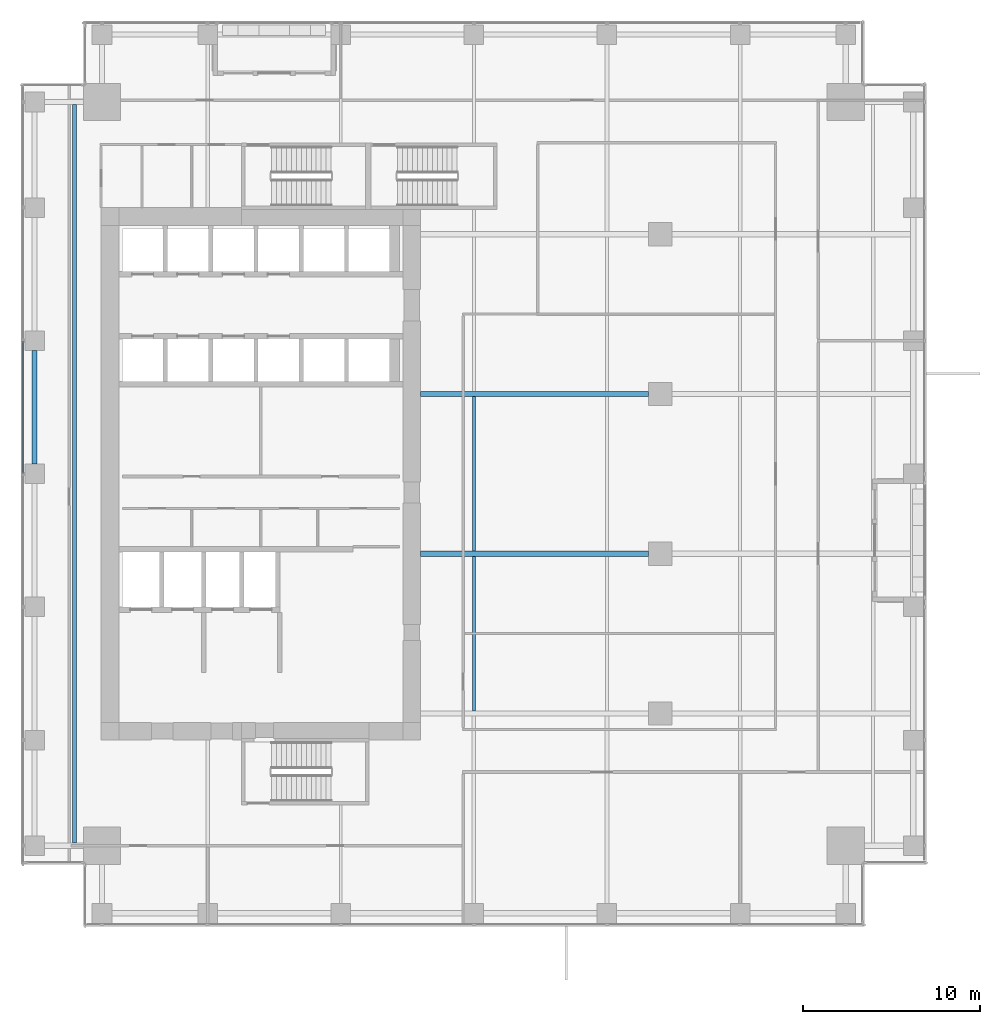
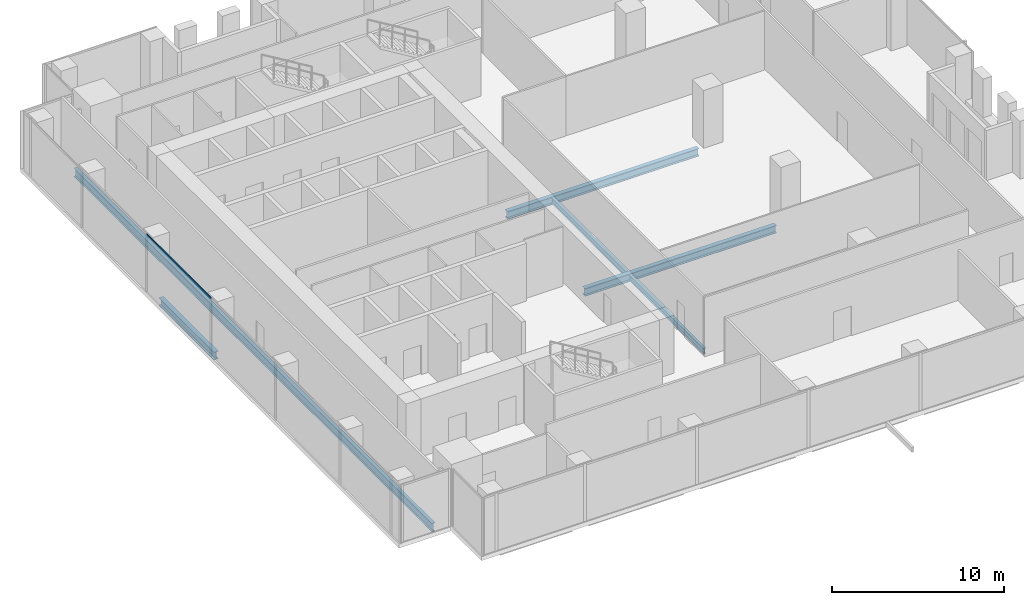
# One storey, part 8 of 34: 6 beams, 1 member, 1 element without a shape of its own.
"""IFC4 building model written with IfcOpenShell, lengths in metres."""

from ifc_helpers import new_model, si_unit, direction, frame, origin, origin_2d, place, context, subcontext, project, spatial, hollow_rectangle, i_section, extrude, source, transform, mapped, material, material_profile, profile_set, type_object, element, aggregate, save


model = new_model("IFC4")

# Units and contexts
model_context = context("Model", 3, precision=1e-05, world=origin(), true_north=direction((0.0, 1.0)))
body_context = subcontext(model_context, "Body", "Model", "MODEL_VIEW")
ifc_project = project(units=[si_unit("LENGTHUNIT", "METRE"), si_unit("AREAUNIT", "SQUARE_METRE"), si_unit("VOLUMEUNIT", "CUBIC_METRE"), si_unit("PLANEANGLEUNIT", "RADIAN"), si_unit("MASSUNIT", "GRAM", prefix="KILO")], contexts=[model_context])

# Site, building, storey
site_placement = place(None, origin())
site = spatial("IfcSite", under=ifc_project, at=site_placement, CompositionType="ELEMENT")
building_placement = place(site_placement, origin())
building = spatial("IfcBuilding", under=site, at=building_placement, Name="Khomas Fold Tower", CompositionType="ELEMENT")
storey_placement = place(building_placement, frame((0.0, 0.0, 145.5)))
storey = spatial("IfcBuildingStorey", under=building, at=storey_placement, Name="L31", CompositionType="ELEMENT", Elevation=145.5)

# Beams
ifc_material_1 = material(Name="Steel S355", Category="steel")
ifc_material_profile_1 = material_profile(ifc_material_1, i_section(OverallWidth=0.179931640625, OverallDepth=0.39990234375, WebThickness=0.008544921875, FlangeThickness=0.013427734375, at=origin_2d()), Name="IPE 400")
ifc_profile_set_1 = profile_set([ifc_material_profile_1], Name="Steel S355")
beam_type_1 = type_object("IfcBeamType", Name="IPE 400 beam JB3", PredefinedType="BEAM", material=ifc_profile_set_1)
shared_shape_1 = source(origin(), body_context, "Body", "SweptSolid", [
    extrude(i_section(OverallWidth=0.179931640625, OverallDepth=0.39990234375, WebThickness=0.008544921875, FlangeThickness=0.013427734375, at=origin_2d()), origin(), (0.0, 0.0, 1.0), 8.7001953125),
])
for number, where, z_axis, x_axis, name in (
    (1, (27.0, 13.64990234375, -0.5), (0.0, 1.0, 0.0), (-1.0, 0.0, 0.0), "JB3"),
    (2, (27.0, 22.64990234375, -0.5), (0.0, 1.0, 0.0), (-1.0, 0.0, 0.0), "JB3"),
):
    element("IfcBeam", number, at=place(storey_placement, frame(where, z_axis=z_axis, x_axis=x_axis)), inside=storey, type_object=beam_type_1, Name=name, PredefinedType="BEAM", context=body_context, shape_type="MappedRepresentation", body=[
        mapped(shared_shape_1, transform((0.0, 0.0, 0.0))),
    ])
ifc_material_2 = material(Name="Steel S355", Category="steel")
ifc_material_profile_2 = material_profile(ifc_material_2, i_section(OverallWidth=0.300048828125, OverallDepth=0.550048828125, WebThickness=0.014892578125, FlangeThickness=0.029052734375, at=origin_2d()), Name="HE 550 B")
ifc_profile_set_2 = profile_set([ifc_material_profile_2], Name="Steel S355")
beam_type_2 = type_object("IfcBeamType", Name="HE 550 B spandrel SB2", PredefinedType="SPANDREL", material=ifc_profile_set_2)
shared_shape_2 = source(origin(), body_context, "Body", "SweptSolid", [
    extrude(i_section(OverallWidth=0.300048828125, OverallDepth=0.550048828125, WebThickness=0.014892578125, FlangeThickness=0.029052734375, at=origin_2d()), origin(), (0.0, 0.0, 1.0), 6.39990234375),
])
beam_1_placement = place(storey_placement, frame((2.25, 27.550048828125, -0.574951171875), z_axis=(0.0, 1.0, 0.0), x_axis=(-1.0, 0.0, 0.0)))
element("IfcBeam", 3, at=beam_1_placement, inside=storey, type_object=beam_type_2, Name="SB2", PredefinedType="SPANDREL", context=body_context, shape_type="MappedRepresentation", body=[
    mapped(shared_shape_2, transform((0.0, 0.0, 0.0))),
])
ifc_material_3 = material(Name="Steel S355", Category="steel")
ifc_material_profile_3 = material_profile(ifc_material_3, i_section(OverallWidth=0.300048828125, OverallDepth=0.550048828125, WebThickness=0.014892578125, FlangeThickness=0.029052734375, at=origin_2d()), Name="HE 550 B")
ifc_profile_set_3 = profile_set([ifc_material_profile_3], Name="Steel S355")
beam_type_3 = type_object("IfcBeamType", Name="HE 550 B beam GB4", PredefinedType="BEAM", material=ifc_profile_set_3)
shared_shape_3 = source(origin(), body_context, "Body", "SweptSolid", [
    extrude(i_section(OverallWidth=0.300048828125, OverallDepth=0.550048828125, WebThickness=0.014892578125, FlangeThickness=0.029052734375, at=origin_2d()), origin(), (0.0, 0.0, 1.0), 12.85009765625),
])
for number, where, z_axis, x_axis, name in (
    (4, (24.0, 22.5, -0.574951171875), (1.0, 0.0, 0.0), (0.0, 1.0, 0.0), "GB4"),
    (5, (24.0, 31.5, -0.574951171875), (1.0, 0.0, 0.0), (0.0, 1.0, 0.0), "GB4"),
):
    element("IfcBeam", number, at=place(storey_placement, frame(where, z_axis=z_axis, x_axis=x_axis)), inside=storey, type_object=beam_type_3, Name=name, PredefinedType="BEAM", context=body_context, shape_type="MappedRepresentation", body=[
        mapped(shared_shape_3, transform((0.0, 0.0, 0.0))),
    ])
ifc_material_4 = material(Name="Steel S355", Category="steel")
ifc_material_profile_4 = material_profile(ifc_material_4, i_section(OverallWidth=0.219970703125, OverallDepth=0.60009765625, WebThickness=0.011962890625, FlangeThickness=0.01904296875, at=origin_2d()), Name="IPE 600")
ifc_profile_set_4 = profile_set([ifc_material_profile_4], Name="Steel S355")
beam_type_4 = type_object("IfcBeamType", Name="IPE 600 beam JB7", PredefinedType="BEAM", material=ifc_profile_set_4)
shared_shape_4 = source(origin(), body_context, "Body", "SweptSolid", [
    extrude(i_section(OverallWidth=0.219970703125, OverallDepth=0.60009765625, WebThickness=0.011962890625, FlangeThickness=0.01904296875, at=origin_2d()), origin(), (0.0, 0.0, 1.0), 41.60009765625),
])
beam_2_placement = place(storey_placement, frame((4.5, 6.199951171875, -0.60009765625), z_axis=(0.0, 1.0, 0.0), x_axis=(-1.0, 0.0, 0.0)))
element("IfcBeam", 6, at=beam_2_placement, inside=storey, type_object=beam_type_4, Name="JB7", PredefinedType="BEAM", context=body_context, shape_type="MappedRepresentation", body=[
    mapped(shared_shape_4, transform((0.0, 0.0, 0.0))),
])

# Curtain wall, member
ifc_material_5 = material(Name="Aluminium framed double glazing", Category="aluminium")
curtain_wall_type = type_object("IfcCurtainWallType", Name="SK-Unitised clear-glass wall, growing floors CW1", PredefinedType="NOTDEFINED", material=ifc_material_5)
curtain_wall_placement = place(storey_placement, origin())
curtain_wall = element("IfcCurtainWall", 7, at=curtain_wall_placement, inside=storey, type_object=curtain_wall_type, Name="CW1 run L31 09-0", PredefinedType="NOTDEFINED")
ifc_material_6 = material(Name="Aluminium", Category="aluminium")
ifc_material_profile_5 = material_profile(ifc_material_6, hollow_rectangle(XDim=0.06005859375, YDim=0.1201171875, WallThickness=0.00390625, at=origin_2d()), Name="SK-Unitised clear-glass wall, growing floors transom CW1-T")
ifc_profile_set_5 = profile_set([ifc_material_profile_5], Name="Aluminium")
member_type = type_object("IfcMemberType", Name="SK-Unitised clear-glass wall, growing floors transom CW1-T", PredefinedType="USERDEFINED", material=ifc_profile_set_5)
shared_shape_5 = source(origin(), body_context, "Body", "SweptSolid", [
    extrude(hollow_rectangle(XDim=0.06005859375, YDim=0.1201171875, WallThickness=0.00390625, at=origin_2d()), origin(), (0.0, 0.0, 1.0), 7.43994140625),
])
member_placement = place(storey_placement, frame((1.60009765625, 34.469970703125, 4.0400390625), z_axis=(0.0, -1.0, 0.0), x_axis=(1.0, 0.0, 0.0)))
member = element("IfcMember", 8, at=member_placement, type_object=member_type, Name="CW1 transom 4", ObjectType="TRANSOM", PredefinedType="USERDEFINED", context=body_context, shape_type="MappedRepresentation", body=[
    mapped(shared_shape_5, transform((0.0, 0.0, 0.0))),
])
aggregate(curtain_wall, [member])

save(model, "model.ifc")
